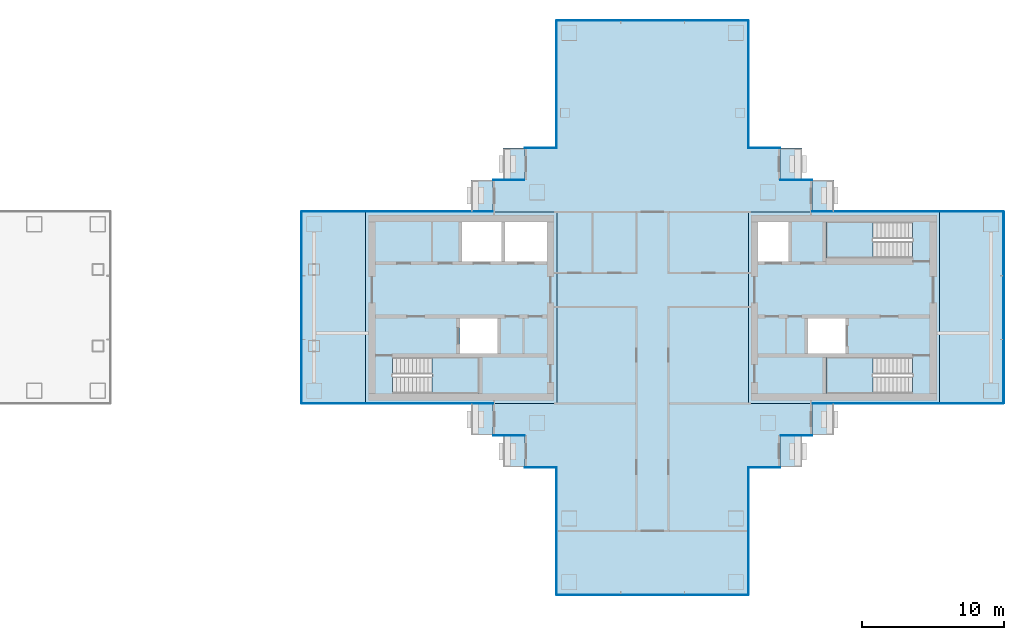
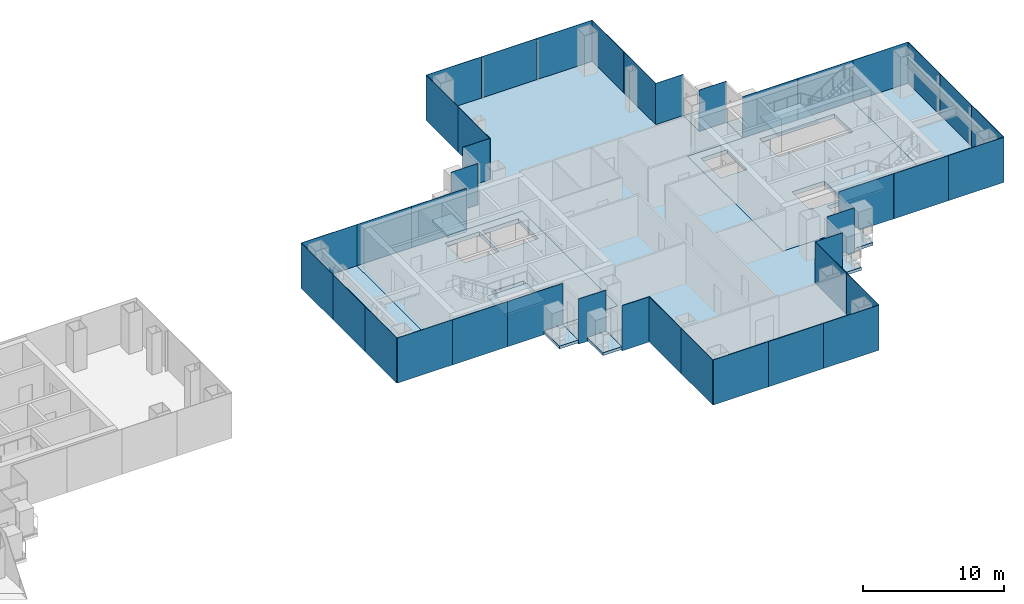
# One storey, part 8 of 17: 40 plates, 16 slabs, 23 elements without a shape of their own.
"""IFC4 building model written with IfcOpenShell, lengths in metres."""

import ifcopenshell
import ifcopenshell.guid

model = None  # the IFC model being written
_history = None  # IfcOwnerHistory: only IFC2X3 demands one
_inside = {}  # id of a spatial element -> (the spatial element, [elements in it])
_under = {}  # id of a project, library or spatial element -> (it, [spatial elements below it])
_declared = {}  # id of a project -> (the project, [libraries it declares])
_typed = {}  # id of a type object -> (the type object, [elements of that type])
_made_of = {}  # id of a material, layer set ... -> (it, [elements and type objects made of it])


def new_model(schema):
    """Start an empty IFC model of exactly this schema.

    Asked for "IFC4X3", IfcOpenShell would pick the latest addendum, in which some entities
    have other attributes; the version numbers below select the first issue.
    IFC2X3 requires an IfcOwnerHistory on every rooted entity: one is made here for all.
    """
    global model, _history
    if schema == "IFC4X3":
        model = ifcopenshell.file(schema_version=(4, 3, 0, 0))
    else:
        model = ifcopenshell.file(schema=schema)
    _inside.clear()
    _under.clear()
    _declared.clear()
    _typed.clear()
    _made_of.clear()
    _history = None
    if model.schema == "IFC2X3":
        org = make("IfcOrganization", Name="unknown")
        user = make(
            "IfcPersonAndOrganization",
            ThePerson=make("IfcPerson", FamilyName="unknown"),
            TheOrganization=org,
        )
        app = make(
            "IfcApplication",
            ApplicationDeveloper=org,
            Version="unknown",
            ApplicationFullName="unknown",
            ApplicationIdentifier="unknown",
        )
        _history = make(
            "IfcOwnerHistory",
            OwningUser=user,
            OwningApplication=app,
            ChangeAction="ADDED",
            CreationDate=0,
        )
    return model


def make(cls, **values):
    """One entity of the class cls with the attributes given. An attribute that is None is left unset."""
    return model.create_entity(
        cls, **{name: value for name, value in values.items() if value is not None}
    )


def rooted(cls, **values):
    """An entity with a GlobalId (a new one), such as an element, a storey or a relation."""
    return make(cls, GlobalId=ifcopenshell.guid.new(), OwnerHistory=_history, **values)


def si_unit(unit_type, name, prefix=None):
    """IfcSIUnit, for example si_unit("LENGTHUNIT", "METRE", prefix="MILLI")."""
    return make("IfcSIUnit", UnitType=unit_type, Prefix=prefix, Name=name)


def assignment(units):
    """IfcUnitAssignment: the units of a project."""
    return None if units is None else make("IfcUnitAssignment", Units=units)


def point(xyz):
    """IfcCartesianPoint."""
    return None if xyz is None else make("IfcCartesianPoint", Coordinates=xyz)


def direction(xyz):
    """IfcDirection."""
    return None if xyz is None else make("IfcDirection", DirectionRatios=xyz)


def frame(location, z_axis=None, x_axis=None):
    """IfcAxis2Placement3D, a coordinate frame: its origin and axes. An axis left out is left unset."""
    return make(
        "IfcAxis2Placement3D",
        Location=point(location),
        Axis=direction(z_axis),
        RefDirection=direction(x_axis),
    )


def frame_2d(location, x_axis=None):
    """IfcAxis2Placement2D, a coordinate frame in the plane: its origin and x axis."""
    return make(
        "IfcAxis2Placement2D", Location=point(location), RefDirection=direction(x_axis)
    )


def origin():
    """The frame at (0, 0, 0) with its axes left unset."""
    return frame((0.0, 0.0, 0.0))


def origin_2d():
    """The frame at (0, 0) in the plane with its x axis left unset."""
    return frame_2d((0.0, 0.0))


def place(relative_to, where):
    """IfcLocalPlacement: puts the frame where relative to a parent placement (None: the world)."""
    return make(
        "IfcLocalPlacement", PlacementRelTo=relative_to, RelativePlacement=where
    )


def context(
    kind, dimensions, precision=None, world=None, true_north=None, identifier=None
):
    """IfcGeometricRepresentationContext, for example the 3D "Model" context."""
    return make(
        "IfcGeometricRepresentationContext",
        ContextIdentifier=identifier,
        ContextType=kind,
        CoordinateSpaceDimension=dimensions,
        Precision=precision,
        WorldCoordinateSystem=world,
        TrueNorth=true_north,
    )


def subcontext(parent, identifier, kind, view, scale=None):
    """IfcGeometricRepresentationSubContext, for example "Body" below "Model"."""
    return make(
        "IfcGeometricRepresentationSubContext",
        ContextIdentifier=identifier,
        ContextType=kind,
        ParentContext=parent,
        TargetScale=scale,
        TargetView=view,
    )


def project(units=None, contexts=None):
    """IfcProject with its units and contexts."""
    return rooted(
        "IfcProject",
        Name="project",
        RepresentationContexts=contexts,
        UnitsInContext=assignment(units),
    )


def spatial(cls, under=None, at=None, **own):
    """A site, building, storey or space (cls), placed at a placement, below another one or the project."""
    s = rooted(cls, ObjectPlacement=at, **own)
    if under is not None:
        _under.setdefault(under.id(), (under, []))[1].append(s)
    return s


def polyline(points):
    """IfcPolyline through the points."""
    return make("IfcPolyline", Points=[point(p) for p in points])


def profile(cls, at=None, kind="AREA", **sizes):
    """A parametric profile (cls). Its sizes go by their IFC names, for example OverallWidth=200.0."""
    return make(cls, ProfileType=kind, Position=at, **sizes)


def rectangle(**sizes):
    """IfcRectangleProfileDef."""
    return profile("IfcRectangleProfileDef", **sizes)


def outline(outer, holes=None, kind="AREA"):
    """IfcArbitraryClosedProfileDef: a profile drawn as a closed curve; with holes, ...WithVoids."""
    if holes is None:
        return make("IfcArbitraryClosedProfileDef", ProfileType=kind, OuterCurve=outer)
    return make(
        "IfcArbitraryProfileDefWithVoids",
        ProfileType=kind,
        OuterCurve=outer,
        InnerCurves=holes,
    )


def extrude(swept, where, along, depth):
    """IfcExtrudedAreaSolid: the profile swept, set in the frame where, extruded along a direction by depth."""
    return make(
        "IfcExtrudedAreaSolid",
        SweptArea=swept,
        Position=where,
        ExtrudedDirection=direction(along),
        Depth=depth,
    )


def shape(context_of_items, identifier, shape_type, items):
    """IfcShapeRepresentation: the items that make up one representation, for example the "Body"."""
    return make(
        "IfcShapeRepresentation",
        ContextOfItems=context_of_items,
        RepresentationIdentifier=identifier,
        RepresentationType=shape_type,
        Items=items,
    )


def material(Name=None, Category=None):
    """IfcMaterial."""
    return make("IfcMaterial", Name=Name, Category=Category)


def layer(
    of_material, thickness, ventilated=None, Name=None, Category=None, Priority=None
):
    """IfcMaterialLayer: one layer of a wall or slab, of a material (None: an air gap)."""
    return make(
        "IfcMaterialLayer",
        Material=of_material,
        LayerThickness=thickness,
        IsVentilated=ventilated,
        Name=Name,
        Category=Category,
        Priority=Priority,
    )


def layer_set(layers, Name=None):
    """IfcMaterialLayerSet."""
    return make("IfcMaterialLayerSet", MaterialLayers=layers, LayerSetName=Name)


def made_of(thing, what):
    """Note that an element or type object is made of a material, layer set ...; save() writes the relation."""
    if what is not None:
        _made_of.setdefault(what.id(), (what, []))[1].append(thing)
    return thing


def type_object(cls, material=None, **own):
    """A type object (cls), such as IfcWallType, which elements share."""
    return made_of(rooted(cls, **own), material)


def element(
    cls,
    number,
    at=None,
    inside=None,
    cuts=None,
    type_object=None,
    material=None,
    context=None,
    identifier="Body",
    shape_type=None,
    held_by="IfcProductDefinitionShape",
    body=None,
    shapes=None,
    **own,
):
    """One element of the class cls, such as IfcWall. Its Tag is "e" and its number.

    at: its placement. inside: the storey or other place that contains it. cuts: it is an
    opening in that element (IfcRelVoidsElement). A single representation is given by context,
    identifier, shape_type and body (its items); several are given by shapes. held_by: the class
    of the entity that holds the representations. save() writes the other relations.
    """
    e = rooted(cls, Tag="e%d" % number, ObjectPlacement=at, **own)
    if body is not None:
        shapes = [shape(context, identifier, shape_type, body)]
    if shapes is not None:
        e.Representation = make(held_by, Representations=shapes)
    if inside is not None:
        _inside.setdefault(inside.id(), (inside, []))[1].append(e)
    if cuts is not None:
        rooted(
            "IfcRelVoidsElement", RelatingBuildingElement=cuts, RelatedOpeningElement=e
        )
    if type_object is not None:
        _typed.setdefault(type_object.id(), (type_object, []))[1].append(e)
    return made_of(e, material)


def aggregate(whole, parts):
    """IfcRelAggregates: a whole, such as a stair, and the parts it consists of."""
    return rooted("IfcRelAggregates", RelatingObject=whole, RelatedObjects=parts)


def save(model, path):
    """Write the relations noted so far, then the file.

    IfcRelAggregates (storeys below a building ...), IfcRelContainedInSpatialStructure (elements
    in a storey), IfcRelDefinesByType, IfcRelAssociatesMaterial and IfcRelDeclares: one each for
    every whole, place, type object, material and project.
    """
    for whole, parts in _under.values():
        aggregate(whole, parts)
    for where, things in _inside.values():
        rooted(
            "IfcRelContainedInSpatialStructure",
            RelatedElements=things,
            RelatingStructure=where,
        )
    for kind, things in _typed.values():
        rooted("IfcRelDefinesByType", RelatedObjects=things, RelatingType=kind)
    for what, things in _made_of.values():
        rooted("IfcRelAssociatesMaterial", RelatedObjects=things, RelatingMaterial=what)
    for by, libraries in _declared.values():
        rooted("IfcRelDeclares", RelatingContext=by, RelatedDefinitions=libraries)
    model.write(path)


model = new_model("IFC4")

# Units and contexts
model_context = context("Model", 3, precision=1e-05, world=origin(), true_north=direction((0.0, 1.0)))
body_context = subcontext(model_context, "Body", "Model", "MODEL_VIEW")
ifc_project = project(units=[si_unit("LENGTHUNIT", "METRE"), si_unit("AREAUNIT", "SQUARE_METRE"), si_unit("VOLUMEUNIT", "CUBIC_METRE"), si_unit("PLANEANGLEUNIT", "RADIAN"), si_unit("MASSUNIT", "GRAM", prefix="KILO")], contexts=[model_context])

# Site, building, storey
site_placement = place(None, origin())
site = spatial("IfcSite", under=ifc_project, at=site_placement, CompositionType="ELEMENT")
building_placement = place(site_placement, origin())
building = spatial("IfcBuilding", under=site, at=building_placement, Name="Shamsa Quay Exchange Towers", CompositionType="ELEMENT")
storey_placement = place(building_placement, frame((0.0, 0.0, 170.10009765625)))
storey = spatial("IfcBuildingStorey", under=building, at=storey_placement, Name="L40", CompositionType="ELEMENT", Elevation=170.10009765625)

# Slabs
ifc_material_1 = material(Name="Precast concrete C40/50", Category="concrete")
ifc_layer_1 = layer(ifc_material_1, 0.25)
ifc_layer_set_1 = layer_set([ifc_layer_1], Name="BALCONY SLAB 250")
slab_type_1 = type_object("IfcSlabType", Name="BALCONY SLAB 250", PredefinedType="FLOOR", material=ifc_layer_set_1)
slab_1_placement = place(storey_placement, frame((0.0, 0.0, -0.25)))
element("IfcSlab", 1, at=slab_1_placement, inside=storey, type_object=slab_type_1, Name="Balcony T2-PKEN L40", PredefinedType="FLOOR", context=body_context, shape_type="SweptSolid", body=[
    extrude(outline(polyline([(24.75, 11.25), (24.75, 9.0380859375), (23.199951171875, 9.0380859375), (23.199951171875, 11.25), (24.75, 11.25)])), origin(), (0.0, 0.0, 1.0), 0.25),
])
slab_2_placement = place(storey_placement, frame((0.0, 0.0, -0.25)))
element("IfcSlab", 2, at=slab_2_placement, inside=storey, type_object=slab_type_1, Name="Balcony T2-PKEN L40", PredefinedType="FLOOR", context=body_context, shape_type="SweptSolid", body=[
    extrude(outline(polyline([(22.5, 9.0), (22.5, 6.7880859375), (20.949951171875, 6.7880859375), (20.949951171875, 9.0), (22.5, 9.0)])), origin(), (0.0, 0.0, 1.0), 0.25),
])
slab_3_placement = place(storey_placement, frame((0.0, 0.0, -0.25)))
element("IfcSlab", 3, at=slab_3_placement, inside=storey, type_object=slab_type_1, Name="Balcony T2-PKES L40", PredefinedType="FLOOR", context=body_context, shape_type="SweptSolid", body=[
    extrude(outline(polyline([(42.75, 9.0380859375), (42.75, 11.25), (44.300048828125, 11.25), (44.300048828125, 9.0380859375), (42.75, 9.0380859375)])), origin(), (0.0, 0.0, 1.0), 0.25),
])
slab_4_placement = place(storey_placement, frame((0.0, 0.0, -0.25)))
element("IfcSlab", 4, at=slab_4_placement, inside=storey, type_object=slab_type_1, Name="Balcony T2-PKES L40", PredefinedType="FLOOR", context=body_context, shape_type="SweptSolid", body=[
    extrude(outline(polyline([(45.0, 6.7880859375), (45.0, 9.0), (46.550048828125, 9.0), (46.550048828125, 6.7880859375), (45.0, 6.7880859375)])), origin(), (0.0, 0.0, 1.0), 0.25),
])
slab_5_placement = place(storey_placement, frame((0.0, 0.0, -0.25)))
element("IfcSlab", 5, at=slab_5_placement, inside=storey, type_object=slab_type_1, Name="Balcony T2-PKWN L40", PredefinedType="FLOOR", context=body_context, shape_type="SweptSolid", body=[
    extrude(outline(polyline([(22.5, -6.7880859375), (22.5, -9.0), (20.949951171875, -9.0), (20.949951171875, -6.7880859375), (22.5, -6.7880859375)])), origin(), (0.0, 0.0, 1.0), 0.25),
])
slab_6_placement = place(storey_placement, frame((0.0, 0.0, -0.25)))
element("IfcSlab", 6, at=slab_6_placement, inside=storey, type_object=slab_type_1, Name="Balcony T2-PKWN L40", PredefinedType="FLOOR", context=body_context, shape_type="SweptSolid", body=[
    extrude(outline(polyline([(24.75, -9.0380859375), (24.75, -11.25), (23.199951171875, -11.25), (23.199951171875, -9.0380859375), (24.75, -9.0380859375)])), origin(), (0.0, 0.0, 1.0), 0.25),
])
slab_7_placement = place(storey_placement, frame((0.0, 0.0, -0.25)))
element("IfcSlab", 7, at=slab_7_placement, inside=storey, type_object=slab_type_1, Name="Balcony T2-PKWS L40", PredefinedType="FLOOR", context=body_context, shape_type="SweptSolid", body=[
    extrude(outline(polyline([(42.75, -11.25), (42.75, -9.0380859375), (44.300048828125, -9.0380859375), (44.300048828125, -11.25), (42.75, -11.25)])), origin(), (0.0, 0.0, 1.0), 0.25),
])
slab_8_placement = place(storey_placement, frame((0.0, 0.0, -0.25)))
element("IfcSlab", 8, at=slab_8_placement, inside=storey, type_object=slab_type_1, Name="Balcony T2-PKWS L40", PredefinedType="FLOOR", context=body_context, shape_type="SweptSolid", body=[
    extrude(outline(polyline([(45.0, -9.0), (45.0, -6.7880859375), (46.550048828125, -6.7880859375), (46.550048828125, -9.0), (45.0, -9.0)])), origin(), (0.0, 0.0, 1.0), 0.25),
])
ifc_material_2 = material(Name="Concrete C50/60", Category="concrete")
ifc_layer_2 = layer(ifc_material_2, 0.35009765625)
ifc_layer_set_2 = layer_set([ifc_layer_2], Name="CORE FLOOR 350 C50/60")
slab_type_2 = type_object("IfcSlabType", Name="CORE FLOOR 350 C50/60", PredefinedType="FLOOR", material=ifc_layer_set_2)
slab_9_placement = place(storey_placement, frame((0.0, 0.0, -0.35009765625)))
element("IfcSlab", 9, at=slab_9_placement, inside=storey, type_object=slab_type_2, Name="Core floor T2A", PredefinedType="FLOOR", context=body_context, shape_type="SweptSolid", body=[
    extrude(outline(polyline([(13.5, -6.75), (27.0, -6.75), (27.0, 6.75), (13.5, 6.75), (13.5, -6.75)]), holes=[polyline([(15.400634765625, -6.050048828125), (15.400634765625, -3.5), (21.5, -3.5), (21.5, -6.050048828125), (15.400634765625, -6.050048828125)]), polyline([(20.300048828125, 3.25), (20.300048828125, 6.050048828125), (23.10009765625, 6.050048828125), (23.10009765625, 3.25), (20.300048828125, 3.25)]), polyline([(23.35009765625, 3.25), (23.35009765625, 6.050048828125), (26.300048828125, 6.050048828125), (26.300048828125, 3.25), (23.35009765625, 3.25)]), polyline([(20.14990234375, -3.25), (20.14990234375, -0.75), (22.800048828125, -0.75), (22.800048828125, -3.25), (20.14990234375, -3.25)])]), origin(), (0.0, 0.0, 1.0), 0.35009765625),
])
slab_10_placement = place(storey_placement, frame((0.0, 0.0, -0.35009765625)))
element("IfcSlab", 10, at=slab_10_placement, inside=storey, type_object=slab_type_2, Name="Core floor T2B", PredefinedType="FLOOR", context=body_context, shape_type="SweptSolid", body=[
    extrude(outline(polyline([(54.0, -6.75), (54.0, 6.75), (40.5, 6.75), (40.5, -6.75), (54.0, -6.75)]), holes=[polyline([(52.099365234375, -3.5), (52.099365234375, -6.050048828125), (46.0, -6.050048828125), (46.0, -3.5), (52.099365234375, -3.5)]), polyline([(52.099365234375, 6.050048828125), (52.099365234375, 3.5), (46.0, 3.5), (46.0, 6.050048828125), (52.099365234375, 6.050048828125)]), polyline([(43.35009765625, 3.25), (41.199951171875, 3.25), (41.199951171875, 6.050048828125), (43.35009765625, 6.050048828125), (43.35009765625, 3.25)]), polyline([(47.35009765625, -3.25), (44.699951171875, -3.25), (44.699951171875, -0.75), (47.35009765625, -0.75), (47.35009765625, -3.25)])]), origin(), (0.0, 0.0, 1.0), 0.35009765625),
])

# Stair, slab
ifc_material_3 = material(Name="Concrete C40/50", Category="concrete")
stair_type = type_object("IfcStairType", Name="EXIT STAIR 22 RISERS 177 MM", PredefinedType="HALF_TURN_STAIR", material=ifc_material_3)
stair_1_placement = place(storey_placement, origin())
stair_1 = element("IfcStair", 11, at=stair_1_placement, inside=storey, type_object=stair_type, Name="L40 Exit stair ST4", PredefinedType="HALF_TURN_STAIR")
ifc_layer_3 = layer(ifc_material_3, 0.199951171875)
ifc_layer_set_3 = layer_set([ifc_layer_3], Name="CORE STAIR LANDING")
slab_type_3 = type_object("IfcSlabType", Name="CORE STAIR LANDING", PredefinedType="LANDING", material=ifc_layer_set_3)
slab_11_placement = place(storey_placement, frame((0.0, 0.0, 1.75)))
slab_11 = element("IfcSlab", 12, at=slab_11_placement, type_object=slab_type_3, Name="ST4 landing 1", PredefinedType="LANDING", context=body_context, shape_type="SweptSolid", body=[
    extrude(outline(polyline([(18.199951171875, -6.050048828125), (21.5, -6.050048828125), (21.5, -3.5), (18.199951171875, -3.5), (18.199951171875, -6.050048828125)])), origin(), (0.0, 0.0, 1.0), 0.199951171875),
])
aggregate(stair_1, [slab_11])

stair_2_placement = place(storey_placement, origin())
stair_2 = element("IfcStair", 13, at=stair_2_placement, inside=storey, type_object=stair_type, Name="L40 Exit stair ST5", PredefinedType="HALF_TURN_STAIR")
slab_12_placement = place(storey_placement, frame((0.0, 0.0, 1.75)))
slab_12 = element("IfcSlab", 14, at=slab_12_placement, type_object=slab_type_3, Name="ST5 landing 1", PredefinedType="LANDING", context=body_context, shape_type="SweptSolid", body=[
    extrude(outline(polyline([(49.300048828125, -3.5), (46.0, -3.5), (46.0, -6.050048828125), (49.300048828125, -6.050048828125), (49.300048828125, -3.5)])), origin(), (0.0, 0.0, 1.0), 0.199951171875),
])
aggregate(stair_2, [slab_12])

stair_3_placement = place(storey_placement, origin())
stair_3 = element("IfcStair", 15, at=stair_3_placement, inside=storey, type_object=stair_type, Name="L40 Exit stair ST6", PredefinedType="HALF_TURN_STAIR")
slab_13_placement = place(storey_placement, frame((0.0, 0.0, 1.75)))
slab_13 = element("IfcSlab", 16, at=slab_13_placement, type_object=slab_type_3, Name="ST6 landing 1", PredefinedType="LANDING", context=body_context, shape_type="SweptSolid", body=[
    extrude(outline(polyline([(49.300048828125, 6.050048828125), (46.0, 6.050048828125), (46.0, 3.5), (49.300048828125, 3.5), (49.300048828125, 6.050048828125)])), origin(), (0.0, 0.0, 1.0), 0.199951171875),
])
aggregate(stair_3, [slab_13])

# Curtain wall, plate
ifc_material_4 = material(Name="Aluminium EN AW-6063 T6, black anodised", Category="aluminium")
ifc_layer_4 = layer(ifc_material_4, 0.280029296875)
ifc_layer_set_4 = layer_set([ifc_layer_4], Name="CW-1 UNITISED VISION GLASS")
curtain_wall_type_1 = type_object("IfcCurtainWallType", Name="CW-1 UNITISED VISION GLASS", PredefinedType="NOTDEFINED", material=ifc_layer_set_4)
curtain_wall_1_placement = place(storey_placement, origin())
curtain_wall_1 = element("IfcCurtainWall", 17, at=curtain_wall_1_placement, inside=storey, type_object=curtain_wall_type_1, Name="CW1 T2-FLK-V-W L40", PredefinedType="NOTDEFINED")
ifc_material_5 = material(Name="Glass, laminated, dark tinted", Category="glass")
ifc_layer_5 = layer(ifc_material_5, 0.0400390625)
ifc_layer_set_5 = layer_set([ifc_layer_5], Name="CW-1 VISION GLASS 40")
plate_type_1 = type_object("IfcPlateType", Name="CW-1 VISION GLASS 40", PredefinedType="CURTAIN_PANEL", material=ifc_layer_set_5)
plate_1_placement = place(storey_placement, frame((56.25, -6.77001953125, -0.35009765625)))
plate_1 = element("IfcPlate", 18, at=plate_1_placement, type_object=plate_type_1, Name="CW1 glass panel", PredefinedType="CURTAIN_PANEL", context=body_context, shape_type="SweptSolid", body=[
    extrude(rectangle(XDim=4.5, YDim=0.0400390625, at=origin_2d()), origin(), (0.0, 0.0, 1.0), 3.89990234375),
])
aggregate(curtain_wall_1, [plate_1])

# Curtain wall, plates
curtain_wall_2_placement = place(storey_placement, origin())
curtain_wall_2 = element("IfcCurtainWall", 19, at=curtain_wall_2_placement, inside=storey, type_object=curtain_wall_type_1, Name="CW1 T2-END-V- L40", PredefinedType="NOTDEFINED")
plate_2_placement = place(storey_placement, frame((58.52001953125, -4.50244140625, -0.35009765625), z_axis=(0.0, 0.0, 1.0), x_axis=(0.0, 1.0, 0.0)))
plate_2 = element("IfcPlate", 20, at=plate_2_placement, type_object=plate_type_1, Name="CW1 glass panel", PredefinedType="CURTAIN_PANEL", context=body_context, shape_type="SweptSolid", body=[
    extrude(rectangle(XDim=4.4951171875, YDim=0.0400390625, at=origin_2d()), origin(), (0.0, 0.0, 1.0), 3.89990234375),
])
plate_3_placement = place(storey_placement, frame((58.52001953125, 0.0, -0.35009765625), z_axis=(0.0, 0.0, 1.0), x_axis=(0.0, 1.0, 0.0)))
plate_3 = element("IfcPlate", 21, at=plate_3_placement, type_object=plate_type_1, Name="CW1 glass panel", PredefinedType="CURTAIN_PANEL", context=body_context, shape_type="SweptSolid", body=[
    extrude(rectangle(XDim=4.489990234375, YDim=0.0400390625, at=origin_2d()), origin(), (0.0, 0.0, 1.0), 3.89990234375),
])
plate_4_placement = place(storey_placement, frame((58.52001953125, 4.50244140625, -0.35009765625), z_axis=(0.0, 0.0, 1.0), x_axis=(0.0, 1.0, 0.0)))
plate_4 = element("IfcPlate", 22, at=plate_4_placement, type_object=plate_type_1, Name="CW1 glass panel", PredefinedType="CURTAIN_PANEL", context=body_context, shape_type="SweptSolid", body=[
    extrude(rectangle(XDim=4.4951171875, YDim=0.0400390625, at=origin_2d()), origin(), (0.0, 0.0, 1.0), 3.89990234375),
])
aggregate(curtain_wall_2, [plate_2, plate_3, plate_4])

# Curtain wall, plate
curtain_wall_3_placement = place(storey_placement, origin())
curtain_wall_3 = element("IfcCurtainWall", 23, at=curtain_wall_3_placement, inside=storey, type_object=curtain_wall_type_1, Name="CW1 T2-FLK-V-E L40", PredefinedType="NOTDEFINED")
plate_5_placement = place(storey_placement, frame((56.25, 6.77001953125, -0.35009765625), z_axis=(0.0, 0.0, 1.0), x_axis=(-1.0, 0.0, 0.0)))
plate_5 = element("IfcPlate", 24, at=plate_5_placement, type_object=plate_type_1, Name="CW1 glass panel", PredefinedType="CURTAIN_PANEL", context=body_context, shape_type="SweptSolid", body=[
    extrude(rectangle(XDim=4.5, YDim=0.0400390625, at=origin_2d()), origin(), (0.0, 0.0, 1.0), 3.89990234375),
])
aggregate(curtain_wall_3, [plate_5])

# Curtain wall, plates
curtain_wall_4_placement = place(storey_placement, origin())
curtain_wall_4 = element("IfcCurtainWall", 25, at=curtain_wall_4_placement, inside=storey, type_object=curtain_wall_type_1, Name="CW1 T2-FLK-U+S L40", PredefinedType="NOTDEFINED")
plate_6_placement = place(storey_placement, frame((40.52001953125, 13.52587890625, -0.35009765625), z_axis=(0.0, 0.0, 1.0), x_axis=(0.0, 1.0, 0.0)))
plate_6 = element("IfcPlate", 26, at=plate_6_placement, type_object=plate_type_1, Name="CW1 glass panel", PredefinedType="CURTAIN_PANEL", context=body_context, shape_type="SweptSolid", body=[
    extrude(rectangle(XDim=4.47607421875, YDim=0.0400390625, at=origin_2d()), origin(), (0.0, 0.0, 1.0), 3.89990234375),
])
plate_7_placement = place(storey_placement, frame((40.52001953125, 18.011962890625, -0.35009765625), z_axis=(0.0, 0.0, 1.0), x_axis=(0.0, 1.0, 0.0)))
plate_7 = element("IfcPlate", 27, at=plate_7_placement, type_object=plate_type_1, Name="CW1 glass panel", PredefinedType="CURTAIN_PANEL", context=body_context, shape_type="SweptSolid", body=[
    extrude(rectangle(XDim=4.47607421875, YDim=0.0400390625, at=origin_2d()), origin(), (0.0, 0.0, 1.0), 3.89990234375),
])
aggregate(curtain_wall_4, [plate_6, plate_7])

curtain_wall_5_placement = place(storey_placement, origin())
curtain_wall_5 = element("IfcCurtainWall", 28, at=curtain_wall_5_placement, inside=storey, type_object=curtain_wall_type_1, Name="CW1 T2-END-U+ L40", PredefinedType="NOTDEFINED")
plate_8_placement = place(storey_placement, frame((38.25244140625, 20.27001953125, -0.35009765625), z_axis=(0.0, 0.0, 1.0), x_axis=(-1.0, 0.0, 0.0)))
plate_8 = element("IfcPlate", 29, at=plate_8_placement, type_object=plate_type_1, Name="CW1 glass panel", PredefinedType="CURTAIN_PANEL", context=body_context, shape_type="SweptSolid", body=[
    extrude(rectangle(XDim=4.4951171875, YDim=0.0400390625, at=origin_2d()), origin(), (0.0, 0.0, 1.0), 3.89990234375),
])
plate_9_placement = place(storey_placement, frame((33.75, 20.27001953125, -0.35009765625), z_axis=(0.0, 0.0, 1.0), x_axis=(-1.0, 0.0, 0.0)))
plate_9 = element("IfcPlate", 30, at=plate_9_placement, type_object=plate_type_1, Name="CW1 glass panel", PredefinedType="CURTAIN_PANEL", context=body_context, shape_type="SweptSolid", body=[
    extrude(rectangle(XDim=4.489990234375, YDim=0.0400390625, at=origin_2d()), origin(), (0.0, 0.0, 1.0), 3.89990234375),
])
plate_10_placement = place(storey_placement, frame((29.24755859375, 20.27001953125, -0.35009765625), z_axis=(0.0, 0.0, 1.0), x_axis=(-1.0, 0.0, 0.0)))
plate_10 = element("IfcPlate", 31, at=plate_10_placement, type_object=plate_type_1, Name="CW1 glass panel", PredefinedType="CURTAIN_PANEL", context=body_context, shape_type="SweptSolid", body=[
    extrude(rectangle(XDim=4.4951171875, YDim=0.0400390625, at=origin_2d()), origin(), (0.0, 0.0, 1.0), 3.89990234375),
])
aggregate(curtain_wall_5, [plate_8, plate_9, plate_10])

curtain_wall_6_placement = place(storey_placement, origin())
curtain_wall_6 = element("IfcCurtainWall", 32, at=curtain_wall_6_placement, inside=storey, type_object=curtain_wall_type_1, Name="CW1 T2-FLK-U+N L40", PredefinedType="NOTDEFINED")
plate_11_placement = place(storey_placement, frame((26.97998046875, 18.00244140625, -0.35009765625), z_axis=(0.0, 0.0, 1.0), x_axis=(0.0, -1.0, 0.0)))
plate_11 = element("IfcPlate", 33, at=plate_11_placement, type_object=plate_type_1, Name="CW1 glass panel", PredefinedType="CURTAIN_PANEL", context=body_context, shape_type="SweptSolid", body=[
    extrude(rectangle(XDim=4.4951171875, YDim=0.0400390625, at=origin_2d()), origin(), (0.0, 0.0, 1.0), 3.89990234375),
])
plate_12_placement = place(storey_placement, frame((26.97998046875, 13.49755859375, -0.35009765625), z_axis=(0.0, 0.0, 1.0), x_axis=(0.0, -1.0, 0.0)))
plate_12 = element("IfcPlate", 34, at=plate_12_placement, type_object=plate_type_1, Name="CW1 glass panel", PredefinedType="CURTAIN_PANEL", context=body_context, shape_type="SweptSolid", body=[
    extrude(rectangle(XDim=4.4951171875, YDim=0.0400390625, at=origin_2d()), origin(), (0.0, 0.0, 1.0), 3.89990234375),
])
aggregate(curtain_wall_6, [plate_11, plate_12])

# Curtain wall, plate
curtain_wall_7_placement = place(storey_placement, origin())
curtain_wall_7 = element("IfcCurtainWall", 35, at=curtain_wall_7_placement, inside=storey, type_object=curtain_wall_type_1, Name="CW1 T2-FLK-V+E L40", PredefinedType="NOTDEFINED")
plate_13_placement = place(storey_placement, frame((11.25, 6.77001953125, -0.35009765625), z_axis=(0.0, 0.0, 1.0), x_axis=(-1.0, 0.0, 0.0)))
plate_13 = element("IfcPlate", 36, at=plate_13_placement, type_object=plate_type_1, Name="CW1 glass panel", PredefinedType="CURTAIN_PANEL", context=body_context, shape_type="SweptSolid", body=[
    extrude(rectangle(XDim=4.5, YDim=0.0400390625, at=origin_2d()), origin(), (0.0, 0.0, 1.0), 3.89990234375),
])
aggregate(curtain_wall_7, [plate_13])

# Curtain wall, plates
curtain_wall_8_placement = place(storey_placement, origin())
curtain_wall_8 = element("IfcCurtainWall", 37, at=curtain_wall_8_placement, inside=storey, type_object=curtain_wall_type_1, Name="CW1 T2-END-V+ L40", PredefinedType="NOTDEFINED")
plate_14_placement = place(storey_placement, frame((8.97998046875, 4.50244140625, -0.35009765625), z_axis=(0.0, 0.0, 1.0), x_axis=(0.0, -1.0, 0.0)))
plate_14 = element("IfcPlate", 38, at=plate_14_placement, type_object=plate_type_1, Name="CW1 glass panel", PredefinedType="CURTAIN_PANEL", context=body_context, shape_type="SweptSolid", body=[
    extrude(rectangle(XDim=4.4951171875, YDim=0.0400390625, at=origin_2d()), origin(), (0.0, 0.0, 1.0), 3.89990234375),
])
plate_15_placement = place(storey_placement, frame((8.97998046875, 0.0, -0.35009765625), z_axis=(0.0, 0.0, 1.0), x_axis=(0.0, -1.0, 0.0)))
plate_15 = element("IfcPlate", 39, at=plate_15_placement, type_object=plate_type_1, Name="CW1 glass panel", PredefinedType="CURTAIN_PANEL", context=body_context, shape_type="SweptSolid", body=[
    extrude(rectangle(XDim=4.489990234375, YDim=0.0400390625, at=origin_2d()), origin(), (0.0, 0.0, 1.0), 3.89990234375),
])
plate_16_placement = place(storey_placement, frame((8.97998046875, -4.50244140625, -0.35009765625), z_axis=(0.0, 0.0, 1.0), x_axis=(0.0, -1.0, 0.0)))
plate_16 = element("IfcPlate", 40, at=plate_16_placement, type_object=plate_type_1, Name="CW1 glass panel", PredefinedType="CURTAIN_PANEL", context=body_context, shape_type="SweptSolid", body=[
    extrude(rectangle(XDim=4.4951171875, YDim=0.0400390625, at=origin_2d()), origin(), (0.0, 0.0, 1.0), 3.89990234375),
])
aggregate(curtain_wall_8, [plate_14, plate_15, plate_16])

# Curtain wall, plate
curtain_wall_9_placement = place(storey_placement, origin())
curtain_wall_9 = element("IfcCurtainWall", 41, at=curtain_wall_9_placement, inside=storey, type_object=curtain_wall_type_1, Name="CW1 T2-FLK-V+W L40", PredefinedType="NOTDEFINED")
plate_17_placement = place(storey_placement, frame((11.25, -6.77001953125, -0.35009765625)))
plate_17 = element("IfcPlate", 42, at=plate_17_placement, type_object=plate_type_1, Name="CW1 glass panel", PredefinedType="CURTAIN_PANEL", context=body_context, shape_type="SweptSolid", body=[
    extrude(rectangle(XDim=4.5, YDim=0.0400390625, at=origin_2d()), origin(), (0.0, 0.0, 1.0), 3.89990234375),
])
aggregate(curtain_wall_9, [plate_17])

# Curtain wall, plates
curtain_wall_10_placement = place(storey_placement, origin())
curtain_wall_10 = element("IfcCurtainWall", 43, at=curtain_wall_10_placement, inside=storey, type_object=curtain_wall_type_1, Name="CW1 T2-FLK-U-N L40", PredefinedType="NOTDEFINED")
plate_18_placement = place(storey_placement, frame((26.97998046875, -13.52587890625, -0.35009765625), z_axis=(0.0, 0.0, 1.0), x_axis=(0.0, -1.0, 0.0)))
plate_18 = element("IfcPlate", 44, at=plate_18_placement, type_object=plate_type_1, Name="CW1 glass panel", PredefinedType="CURTAIN_PANEL", context=body_context, shape_type="SweptSolid", body=[
    extrude(rectangle(XDim=4.47607421875, YDim=0.0400390625, at=origin_2d()), origin(), (0.0, 0.0, 1.0), 3.89990234375),
])
plate_19_placement = place(storey_placement, frame((26.97998046875, -18.011962890625, -0.35009765625), z_axis=(0.0, 0.0, 1.0), x_axis=(0.0, -1.0, 0.0)))
plate_19 = element("IfcPlate", 45, at=plate_19_placement, type_object=plate_type_1, Name="CW1 glass panel", PredefinedType="CURTAIN_PANEL", context=body_context, shape_type="SweptSolid", body=[
    extrude(rectangle(XDim=4.47607421875, YDim=0.0400390625, at=origin_2d()), origin(), (0.0, 0.0, 1.0), 3.89990234375),
])
aggregate(curtain_wall_10, [plate_18, plate_19])

curtain_wall_11_placement = place(storey_placement, origin())
curtain_wall_11 = element("IfcCurtainWall", 46, at=curtain_wall_11_placement, inside=storey, type_object=curtain_wall_type_1, Name="CW1 T2-END-U- L40", PredefinedType="NOTDEFINED")
plate_20_placement = place(storey_placement, frame((29.24755859375, -20.27001953125, -0.35009765625)))
plate_20 = element("IfcPlate", 47, at=plate_20_placement, type_object=plate_type_1, Name="CW1 glass panel", PredefinedType="CURTAIN_PANEL", context=body_context, shape_type="SweptSolid", body=[
    extrude(rectangle(XDim=4.4951171875, YDim=0.0400390625, at=origin_2d()), origin(), (0.0, 0.0, 1.0), 3.89990234375),
])
plate_21_placement = place(storey_placement, frame((33.75, -20.27001953125, -0.35009765625)))
plate_21 = element("IfcPlate", 48, at=plate_21_placement, type_object=plate_type_1, Name="CW1 glass panel", PredefinedType="CURTAIN_PANEL", context=body_context, shape_type="SweptSolid", body=[
    extrude(rectangle(XDim=4.489990234375, YDim=0.0400390625, at=origin_2d()), origin(), (0.0, 0.0, 1.0), 3.89990234375),
])
plate_22_placement = place(storey_placement, frame((38.25244140625, -20.27001953125, -0.35009765625)))
plate_22 = element("IfcPlate", 49, at=plate_22_placement, type_object=plate_type_1, Name="CW1 glass panel", PredefinedType="CURTAIN_PANEL", context=body_context, shape_type="SweptSolid", body=[
    extrude(rectangle(XDim=4.4951171875, YDim=0.0400390625, at=origin_2d()), origin(), (0.0, 0.0, 1.0), 3.89990234375),
])
aggregate(curtain_wall_11, [plate_20, plate_21, plate_22])

curtain_wall_12_placement = place(storey_placement, origin())
curtain_wall_12 = element("IfcCurtainWall", 50, at=curtain_wall_12_placement, inside=storey, type_object=curtain_wall_type_1, Name="CW1 T2-FLK-U-S L40", PredefinedType="NOTDEFINED")
plate_23_placement = place(storey_placement, frame((40.52001953125, -18.00244140625, -0.35009765625), z_axis=(0.0, 0.0, 1.0), x_axis=(0.0, 1.0, 0.0)))
plate_23 = element("IfcPlate", 51, at=plate_23_placement, type_object=plate_type_1, Name="CW1 glass panel", PredefinedType="CURTAIN_PANEL", context=body_context, shape_type="SweptSolid", body=[
    extrude(rectangle(XDim=4.4951171875, YDim=0.0400390625, at=origin_2d()), origin(), (0.0, 0.0, 1.0), 3.89990234375),
])
plate_24_placement = place(storey_placement, frame((40.52001953125, -13.49755859375, -0.35009765625), z_axis=(0.0, 0.0, 1.0), x_axis=(0.0, 1.0, 0.0)))
plate_24 = element("IfcPlate", 52, at=plate_24_placement, type_object=plate_type_1, Name="CW1 glass panel", PredefinedType="CURTAIN_PANEL", context=body_context, shape_type="SweptSolid", body=[
    extrude(rectangle(XDim=4.4951171875, YDim=0.0400390625, at=origin_2d()), origin(), (0.0, 0.0, 1.0), 3.89990234375),
])
aggregate(curtain_wall_12, [plate_23, plate_24])

ifc_layer_6 = layer(ifc_material_4, 0.303955078125)
ifc_layer_set_6 = layer_set([ifc_layer_6], Name="CW-2 UNITISED OPAQUE SPANDREL GLASS")
curtain_wall_type_2 = type_object("IfcCurtainWallType", Name="CW-2 UNITISED OPAQUE SPANDREL GLASS", PredefinedType="NOTDEFINED", material=ifc_layer_set_6)
curtain_wall_13_placement = place(storey_placement, origin())
curtain_wall_13 = element("IfcCurtainWall", 53, at=curtain_wall_13_placement, inside=storey, type_object=curtain_wall_type_2, Name="CW2 T2-FLK-V-W L40", PredefinedType="NOTDEFINED")
ifc_material_6 = material(Name="Glass, laminated, black enamelled opaque", Category="glass")
ifc_layer_7 = layer(ifc_material_6, 0.0439453125)
ifc_layer_set_7 = layer_set([ifc_layer_7], Name="CW-2 SPANDREL GLASS 44")
plate_type_2 = type_object("IfcPlateType", Name="CW-2 SPANDREL GLASS 44", PredefinedType="CURTAIN_PANEL", material=ifc_layer_set_7)
plate_25_placement = place(storey_placement, frame((47.27587890625, -6.77197265625, -0.35009765625)))
plate_25 = element("IfcPlate", 54, at=plate_25_placement, type_object=plate_type_2, Name="CW2 glass panel", PredefinedType="CURTAIN_PANEL", context=body_context, shape_type="SweptSolid", body=[
    extrude(rectangle(XDim=4.47607421875, YDim=0.0439453125, at=origin_2d()), origin(), (0.0, 0.0, 1.0), 3.89990234375),
])
plate_26_placement = place(storey_placement, frame((51.761962890625, -6.77197265625, -0.35009765625)))
plate_26 = element("IfcPlate", 55, at=plate_26_placement, type_object=plate_type_2, Name="CW2 glass panel", PredefinedType="CURTAIN_PANEL", context=body_context, shape_type="SweptSolid", body=[
    extrude(rectangle(XDim=4.47607421875, YDim=0.0439453125, at=origin_2d()), origin(), (0.0, 0.0, 1.0), 3.89990234375),
])
aggregate(curtain_wall_13, [plate_25, plate_26])

curtain_wall_14_placement = place(storey_placement, origin())
curtain_wall_14 = element("IfcCurtainWall", 56, at=curtain_wall_14_placement, inside=storey, type_object=curtain_wall_type_2, Name="CW2 T2-FLK-V-E L40", PredefinedType="NOTDEFINED")
plate_27_placement = place(storey_placement, frame((51.75244140625, 6.77197265625, -0.35009765625), z_axis=(0.0, 0.0, 1.0), x_axis=(-1.0, 0.0, 0.0)))
plate_27 = element("IfcPlate", 57, at=plate_27_placement, type_object=plate_type_2, Name="CW2 glass panel", PredefinedType="CURTAIN_PANEL", context=body_context, shape_type="SweptSolid", body=[
    extrude(rectangle(XDim=4.4951171875, YDim=0.0439453125, at=origin_2d()), origin(), (0.0, 0.0, 1.0), 3.89990234375),
])
plate_28_placement = place(storey_placement, frame((47.24755859375, 6.77197265625, -0.35009765625), z_axis=(0.0, 0.0, 1.0), x_axis=(-1.0, 0.0, 0.0)))
plate_28 = element("IfcPlate", 58, at=plate_28_placement, type_object=plate_type_2, Name="CW2 glass panel", PredefinedType="CURTAIN_PANEL", context=body_context, shape_type="SweptSolid", body=[
    extrude(rectangle(XDim=4.4951171875, YDim=0.0439453125, at=origin_2d()), origin(), (0.0, 0.0, 1.0), 3.89990234375),
])
aggregate(curtain_wall_14, [plate_27, plate_28])

curtain_wall_15_placement = place(storey_placement, origin())
curtain_wall_15 = element("IfcCurtainWall", 59, at=curtain_wall_15_placement, inside=storey, type_object=curtain_wall_type_2, Name="CW2 T2-FLK-V+E L40", PredefinedType="NOTDEFINED")
plate_29_placement = place(storey_placement, frame((20.22412109375, 6.77197265625, -0.35009765625), z_axis=(0.0, 0.0, 1.0), x_axis=(-1.0, 0.0, 0.0)))
plate_29 = element("IfcPlate", 60, at=plate_29_placement, type_object=plate_type_2, Name="CW2 glass panel", PredefinedType="CURTAIN_PANEL", context=body_context, shape_type="SweptSolid", body=[
    extrude(rectangle(XDim=4.47607421875, YDim=0.0439453125, at=origin_2d()), origin(), (0.0, 0.0, 1.0), 3.89990234375),
])
plate_30_placement = place(storey_placement, frame((15.738037109375, 6.77197265625, -0.35009765625), z_axis=(0.0, 0.0, 1.0), x_axis=(-1.0, 0.0, 0.0)))
plate_30 = element("IfcPlate", 61, at=plate_30_placement, type_object=plate_type_2, Name="CW2 glass panel", PredefinedType="CURTAIN_PANEL", context=body_context, shape_type="SweptSolid", body=[
    extrude(rectangle(XDim=4.47607421875, YDim=0.0439453125, at=origin_2d()), origin(), (0.0, 0.0, 1.0), 3.89990234375),
])
aggregate(curtain_wall_15, [plate_29, plate_30])

curtain_wall_16_placement = place(storey_placement, origin())
curtain_wall_16 = element("IfcCurtainWall", 62, at=curtain_wall_16_placement, inside=storey, type_object=curtain_wall_type_2, Name="CW2 T2-FLK-V+W L40", PredefinedType="NOTDEFINED")
plate_31_placement = place(storey_placement, frame((15.74755859375, -6.77197265625, -0.35009765625)))
plate_31 = element("IfcPlate", 63, at=plate_31_placement, type_object=plate_type_2, Name="CW2 glass panel", PredefinedType="CURTAIN_PANEL", context=body_context, shape_type="SweptSolid", body=[
    extrude(rectangle(XDim=4.4951171875, YDim=0.0439453125, at=origin_2d()), origin(), (0.0, 0.0, 1.0), 3.89990234375),
])
plate_32_placement = place(storey_placement, frame((20.25244140625, -6.77197265625, -0.35009765625)))
plate_32 = element("IfcPlate", 64, at=plate_32_placement, type_object=plate_type_2, Name="CW2 glass panel", PredefinedType="CURTAIN_PANEL", context=body_context, shape_type="SweptSolid", body=[
    extrude(rectangle(XDim=4.4951171875, YDim=0.0439453125, at=origin_2d()), origin(), (0.0, 0.0, 1.0), 3.89990234375),
])
aggregate(curtain_wall_16, [plate_31, plate_32])

ifc_layer_8 = layer(ifc_material_4, 0.256103515625)
ifc_layer_set_8 = layer_set([ifc_layer_8], Name="CW-4 POCKET SERRATED GLAZING")
curtain_wall_type_3 = type_object("IfcCurtainWallType", Name="CW-4 POCKET SERRATED GLAZING", PredefinedType="NOTDEFINED", material=ifc_layer_set_8)
curtain_wall_17_placement = place(storey_placement, origin())
curtain_wall_17 = element("IfcCurtainWall", 65, at=curtain_wall_17_placement, inside=storey, type_object=curtain_wall_type_3, Name="CW4 PKWS L40", PredefinedType="NOTDEFINED")
ifc_layer_9 = layer(ifc_material_5, 0.035888671875)
ifc_layer_set_9 = layer_set([ifc_layer_9], Name="CW-4 POCKET GLASS 36")
plate_type_3 = type_object("IfcPlateType", Name="CW-4 POCKET GLASS 36", PredefinedType="CURTAIN_PANEL", material=ifc_layer_set_9)
plate_33_placement = place(storey_placement, frame((43.89404296875, -9.01806640625, -0.35009765625)))
plate_33 = element("IfcPlate", 66, at=plate_33_placement, type_object=plate_type_3, Name="CW4 glass panel", PredefinedType="CURTAIN_PANEL", context=body_context, shape_type="SweptSolid", body=[
    extrude(rectangle(XDim=2.2119140625, YDim=0.035888671875, at=origin_2d()), origin(), (0.0, 0.0, 1.0), 3.89990234375),
])
plate_34_placement = place(storey_placement, frame((41.64599609375, -11.26806640625, -0.35009765625)))
plate_34 = element("IfcPlate", 67, at=plate_34_placement, type_object=plate_type_3, Name="CW4 glass panel", PredefinedType="CURTAIN_PANEL", context=body_context, shape_type="SweptSolid", body=[
    extrude(rectangle(XDim=2.2080078125, YDim=0.035888671875, at=origin_2d()), origin(), (0.0, 0.0, 1.0), 3.89990234375),
])
aggregate(curtain_wall_17, [plate_33, plate_34])

curtain_wall_18_placement = place(storey_placement, origin())
curtain_wall_18 = element("IfcCurtainWall", 68, at=curtain_wall_18_placement, inside=storey, type_object=curtain_wall_type_3, Name="CW4 PKES L40", PredefinedType="NOTDEFINED")
plate_35_placement = place(storey_placement, frame((43.875, 9.01806640625, -0.35009765625), z_axis=(0.0, 0.0, 1.0), x_axis=(-1.0, 0.0, 0.0)))
plate_35 = element("IfcPlate", 69, at=plate_35_placement, type_object=plate_type_3, Name="CW4 glass panel", PredefinedType="CURTAIN_PANEL", context=body_context, shape_type="SweptSolid", body=[
    extrude(rectangle(XDim=2.25, YDim=0.035888671875, at=origin_2d()), origin(), (0.0, 0.0, 1.0), 3.89990234375),
])
plate_36_placement = place(storey_placement, frame((41.625, 11.26806640625, -0.35009765625), z_axis=(0.0, 0.0, 1.0), x_axis=(-1.0, 0.0, 0.0)))
plate_36 = element("IfcPlate", 70, at=plate_36_placement, type_object=plate_type_3, Name="CW4 glass panel", PredefinedType="CURTAIN_PANEL", context=body_context, shape_type="SweptSolid", body=[
    extrude(rectangle(XDim=2.25, YDim=0.035888671875, at=origin_2d()), origin(), (0.0, 0.0, 1.0), 3.89990234375),
])
aggregate(curtain_wall_18, [plate_35, plate_36])

curtain_wall_19_placement = place(storey_placement, origin())
curtain_wall_19 = element("IfcCurtainWall", 71, at=curtain_wall_19_placement, inside=storey, type_object=curtain_wall_type_3, Name="CW4 PKEN L40", PredefinedType="NOTDEFINED")
plate_37_placement = place(storey_placement, frame((25.85400390625, 11.26806640625, -0.35009765625), z_axis=(0.0, 0.0, 1.0), x_axis=(-1.0, 0.0, 0.0)))
plate_37 = element("IfcPlate", 72, at=plate_37_placement, type_object=plate_type_3, Name="CW4 glass panel", PredefinedType="CURTAIN_PANEL", context=body_context, shape_type="SweptSolid", body=[
    extrude(rectangle(XDim=2.2080078125, YDim=0.035888671875, at=origin_2d()), origin(), (0.0, 0.0, 1.0), 3.89990234375),
])
plate_38_placement = place(storey_placement, frame((23.60595703125, 9.01806640625, -0.35009765625), z_axis=(0.0, 0.0, 1.0), x_axis=(-1.0, 0.0, 0.0)))
plate_38 = element("IfcPlate", 73, at=plate_38_placement, type_object=plate_type_3, Name="CW4 glass panel", PredefinedType="CURTAIN_PANEL", context=body_context, shape_type="SweptSolid", body=[
    extrude(rectangle(XDim=2.2119140625, YDim=0.035888671875, at=origin_2d()), origin(), (0.0, 0.0, 1.0), 3.89990234375),
])
aggregate(curtain_wall_19, [plate_37, plate_38])

curtain_wall_20_placement = place(storey_placement, origin())
curtain_wall_20 = element("IfcCurtainWall", 74, at=curtain_wall_20_placement, inside=storey, type_object=curtain_wall_type_3, Name="CW4 PKWN L40", PredefinedType="NOTDEFINED")
plate_39_placement = place(storey_placement, frame((23.625, -9.01806640625, -0.35009765625)))
plate_39 = element("IfcPlate", 75, at=plate_39_placement, type_object=plate_type_3, Name="CW4 glass panel", PredefinedType="CURTAIN_PANEL", context=body_context, shape_type="SweptSolid", body=[
    extrude(rectangle(XDim=2.25, YDim=0.035888671875, at=origin_2d()), origin(), (0.0, 0.0, 1.0), 3.89990234375),
])
plate_40_placement = place(storey_placement, frame((25.875, -11.26806640625, -0.35009765625)))
plate_40 = element("IfcPlate", 76, at=plate_40_placement, type_object=plate_type_3, Name="CW4 glass panel", PredefinedType="CURTAIN_PANEL", context=body_context, shape_type="SweptSolid", body=[
    extrude(rectangle(XDim=2.25, YDim=0.035888671875, at=origin_2d()), origin(), (0.0, 0.0, 1.0), 3.89990234375),
])
aggregate(curtain_wall_20, [plate_39, plate_40])

# Slabs
ifc_layer_10 = layer(ifc_material_3, 0.35009765625)
ifc_layer_set_10 = layer_set([ifc_layer_10], Name="Flat slab 350")
slab_type_4 = type_object("IfcSlabType", Name="Flat slab 350", PredefinedType="FLOOR", material=ifc_layer_set_10)
slab_14_placement = place(storey_placement, frame((0.0, 0.0, -0.35009765625)))
element("IfcSlab", 77, at=slab_14_placement, inside=storey, type_object=slab_type_4, Name="Flat slab T2 L40 4", PredefinedType="FLOOR", context=body_context, shape_type="SweptSolid", body=[
    extrude(outline(polyline([(9.0, -6.75), (13.5, -6.75), (13.5, 6.75), (9.0, 6.75), (9.0, -6.75)])), origin(), (0.0, 0.0, 1.0), 0.35009765625),
])
slab_15_placement = place(storey_placement, frame((0.0, 0.0, -0.35009765625)))
element("IfcSlab", 78, at=slab_15_placement, inside=storey, type_object=slab_type_4, Name="Flat slab T2 L40 5", PredefinedType="FLOOR", context=body_context, shape_type="SweptSolid", body=[
    extrude(outline(polyline([(45.0, -9.0), (45.0, -6.75), (40.5, -6.75), (40.5, 6.75), (45.0, 6.75), (45.0, 9.0), (42.75, 9.0), (42.75, 11.25), (40.5, 11.25), (40.5, 20.25), (27.0, 20.25), (27.0, 11.25), (24.75, 11.25), (24.75, 9.0), (22.5, 9.0), (22.5, 6.75), (27.0, 6.75), (27.0, -6.75), (22.5, -6.75), (22.5, -9.0), (24.75, -9.0), (24.75, -11.25), (27.0, -11.25), (27.0, -20.25), (40.5, -20.25), (40.5, -11.25), (42.75, -11.25), (42.75, -9.0), (45.0, -9.0)])), origin(), (0.0, 0.0, 1.0), 0.35009765625),
])
slab_16_placement = place(storey_placement, frame((0.0, 0.0, -0.35009765625)))
element("IfcSlab", 79, at=slab_16_placement, inside=storey, type_object=slab_type_4, Name="Flat slab T2 L40 6", PredefinedType="FLOOR", context=body_context, shape_type="SweptSolid", body=[
    extrude(outline(polyline([(58.5, 6.75), (54.0, 6.75), (54.0, -6.75), (58.5, -6.75), (58.5, 6.75)])), origin(), (0.0, 0.0, 1.0), 0.35009765625),
])

save(model, "model.ifc")
